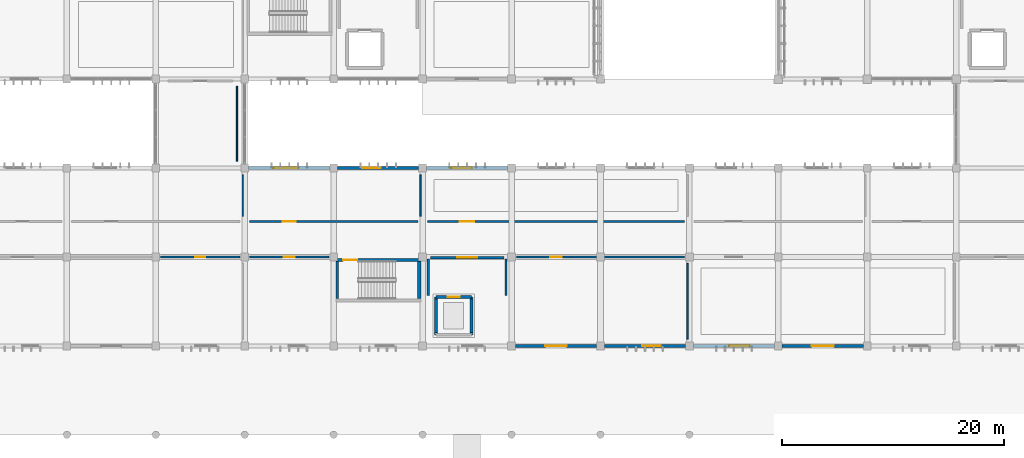
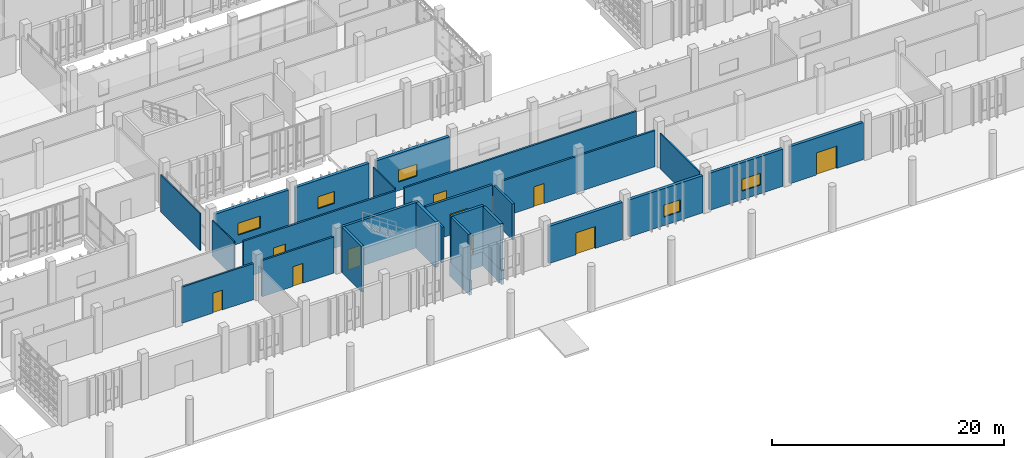
# One storey, part 85 of 117: 28 walls, 10 doors, 5 windows, 15 openings.
"""IFC4 building model written with IfcOpenShell, lengths in metres."""

from ifc_helpers import new_model, si_unit, direction, frame, frame_2d, origin, place, context, subcontext, project, spatial, rectangle, extrude, material, layer, layer_set, type_object, element, fill, save


model = new_model("IFC4")

# Units and contexts
model_context = context("Model", 3, precision=1e-05, world=origin(), true_north=direction((0.0, 1.0)))
body_context = subcontext(model_context, "Body", "Model", "MODEL_VIEW")
ifc_project = project(units=[si_unit("LENGTHUNIT", "METRE"), si_unit("AREAUNIT", "SQUARE_METRE"), si_unit("VOLUMEUNIT", "CUBIC_METRE"), si_unit("PLANEANGLEUNIT", "RADIAN"), si_unit("MASSUNIT", "GRAM", prefix="KILO")], contexts=[model_context])

# Site, building, storey
site_placement = place(None, origin())
site = spatial("IfcSite", under=ifc_project, at=site_placement, CompositionType="ELEMENT")
building_placement = place(site_placement, origin())
building = spatial("IfcBuilding", under=site, at=building_placement, Name="Jelvoka-Kovrelna Polytechnic", CompositionType="ELEMENT")
storey_placement = place(building_placement, origin())
storey = spatial("IfcBuildingStorey", under=building, at=storey_placement, Name="L01", CompositionType="ELEMENT", Elevation=0.0)

# Wall, opening, door
ifc_material_1 = material(Name="Concrete C35/45", Category="concrete")
ifc_layer_1 = layer(ifc_material_1, 0.219970703125)
ifc_layer_set_1 = layer_set([ifc_layer_1], Name="Concrete C35/45")
wall_type_1 = type_object("IfcWallType", Name="Wall_Compartment_220", PredefinedType="PARTITIONING", material=ifc_layer_set_1)
wall_1_placement = place(storey_placement, frame((96.699951171875, 15.949951171875, 0.0), z_axis=(0.0, 0.0, 1.0), x_axis=(1.0, 0.0, 0.0)))
wall_1 = element("IfcWall", 1, at=wall_1_placement, inside=storey, type_object=wall_type_1, Name="L01 interior wall 0524", PredefinedType="PARTITIONING", context=body_context, shape_type="SweptSolid", body=[
    extrude(rectangle(XDim=6.60009765625, YDim=0.219970703125, at=frame_2d((3.300048828125, 0.0))), origin(), (0.0, 0.0, 1.0), 3.81005859375),
])
opening_1_placement = place(wall_1_placement, frame((2.39990234375, 0.0, 0.0)))
opening_1 = element("IfcOpeningElement", 2, at=opening_1_placement, cuts=wall_1, Name="Opening FD-L01-097", PredefinedType="OPENING", context=body_context, shape_type="SweptSolid", body=[
    extrude(rectangle(XDim=1.800048828125, YDim=2.199951171875, at=frame_2d((0.89990234375, 1.10009765625))), frame((0.0, 0.119873046875, 0.0), z_axis=(0.0, -1.0, 0.0), x_axis=(1.0, 0.0, 0.0)), (0.0, 0.0, 1.0), 0.239990234375),
])
ifc_material_2 = material(Name="Paired steel corridor fire door", Category="steel")
door_type_1 = type_object("IfcDoorType", Name="Door_Fire_FD03", OperationType="NOTDEFINED", PredefinedType="DOOR", material=ifc_material_2)
door_1_placement = place(opening_1_placement, origin())
door_1 = element("IfcDoor", 3, at=door_1_placement, inside=storey, type_object=door_type_1, Name="L01 interior door FD-L01-097", OperationType="DOUBLE_DOOR_SINGLE_SWING", OverallHeight=2.199951171875, OverallWidth=1.800048828125, PredefinedType="DOOR", context=body_context, shape_type="SweptSolid", body=[
    extrude(rectangle(XDim=1.800048828125, YDim=2.199951171875, at=frame_2d((0.89990234375, 1.10009765625))), frame((0.0, 0.02490234375, 0.0), z_axis=(0.0, -1.0, 0.0), x_axis=(1.0, 0.0, 0.0)), (0.0, 0.0, 1.0), 0.050048828125),
])
fill(opening_1, door_1)

# Walls
for number, where, z_axis, x_axis, name in (
    (4, (96.5, 12.550048828125, 0.0), (0.0, 0.0, 1.0), (0.0, 1.0, 0.0), "L01 interior wall 0525"),
    (5, (103.5, 12.550048828125, 0.0), (0.0, 0.0, 1.0), (0.0, 1.0, 0.0), "L01 interior wall 0526"),
):
    element("IfcWall", number, at=place(storey_placement, frame(where, z_axis=z_axis, x_axis=x_axis)), inside=storey, type_object=wall_type_1, Name=name, PredefinedType="PARTITIONING", context=body_context, shape_type="SweptSolid", body=[
        extrude(rectangle(XDim=3.25, YDim=0.219970703125, at=frame_2d((1.625, 0.0))), origin(), (0.0, 0.0, 1.0), 3.760009765625),
    ])

# Wall, opening, door
ifc_material_3 = material(Name="Concrete C40/50", Category="concrete")
ifc_layer_2 = layer(ifc_material_3, 0.25)
ifc_layer_set_2 = layer_set([ifc_layer_2], Name="Concrete C40/50")
wall_type_2 = type_object("IfcWallType", Name="Wall_Core_250", PredefinedType="SOLIDWALL", material=ifc_layer_set_2)
wall_2_placement = place(storey_placement, frame((88.199951171875, 15.739990234375, 0.0), z_axis=(0.0, 0.0, 1.0), x_axis=(1.0, 0.0, 0.0)))
wall_2 = element("IfcWall", 6, at=wall_2_placement, inside=storey, type_object=wall_type_2, Name="L01 interior wall 0067", PredefinedType="SOLIDWALL", context=body_context, shape_type="SweptSolid", body=[
    extrude(rectangle(XDim=7.650146484375, YDim=0.25, at=frame_2d((3.8251953125, 0.0))), origin(), (0.0, 0.0, 1.0), 4.800048828125),
])
opening_2_placement = place(wall_2_placement, frame((0.64990234375, 0.0, 0.0)))
opening_2 = element("IfcOpeningElement", 7, at=opening_2_placement, cuts=wall_2, Name="Opening SD-L01-017", PredefinedType="OPENING", context=body_context, shape_type="SweptSolid", body=[
    extrude(rectangle(XDim=1.25, YDim=2.14990234375, at=frame_2d((0.625, 1.074951171875))), frame((0.0, 0.135009765625, 0.0), z_axis=(0.0, -1.0, 0.0), x_axis=(1.0, 0.0, 0.0)), (0.0, 0.0, 1.0), 0.27001953125),
])
ifc_material_4 = material(Name="Powder-coated steel fire door", Category="steel")
door_type_2 = type_object("IfcDoorType", Name="Door_Fire_FD02", OperationType="NOTDEFINED", PredefinedType="DOOR", material=ifc_material_4)
door_2_placement = place(opening_2_placement, origin())
door_2 = element("IfcDoor", 8, at=door_2_placement, inside=storey, type_object=door_type_2, Name="L01 interior door SD-L01-017", OperationType="SINGLE_SWING_LEFT", OverallHeight=2.14990234375, OverallWidth=1.25, PredefinedType="DOOR", context=body_context, shape_type="SweptSolid", body=[
    extrude(rectangle(XDim=1.25, YDim=2.14990234375, at=frame_2d((0.625, 1.074951171875))), frame((0.0, 0.02490234375, 0.0), z_axis=(0.0, -1.0, 0.0), x_axis=(1.0, 0.0, 0.0)), (0.0, 0.0, 1.0), 0.050048828125),
])
fill(opening_2, door_2)

# Walls
wall_3_placement = place(storey_placement, frame((88.324951171875, 12.25, 0.0), z_axis=(0.0, 0.0, 1.0), x_axis=(0.0, 1.0, 0.0)))
element("IfcWall", 9, at=wall_3_placement, inside=storey, type_object=wall_type_2, Name="L01 interior wall 0068", PredefinedType="SOLIDWALL", context=body_context, shape_type="SweptSolid", body=[
    extrude(rectangle(XDim=3.360107421875, YDim=0.25, at=frame_2d((1.68017578125, 0.0))), origin(), (0.0, 0.0, 1.0), 4.800048828125),
])
wall_4_placement = place(storey_placement, frame((100.39990234375, 9.0, -1.5), z_axis=(0.0, 0.0, 1.0), x_axis=(0.0, 1.0, 0.0)))
element("IfcWall", 10, at=wall_4_placement, inside=storey, type_object=wall_type_2, Name="L01 interior wall 0517", PredefinedType="SOLIDWALL", context=body_context, shape_type="SweptSolid", body=[
    extrude(rectangle(XDim=3.39990234375, YDim=0.25, at=frame_2d((1.699951171875, 0.0))), origin(), (0.0, 0.0, 1.0), 1.5),
])
wall_5_placement = place(storey_placement, frame((100.39990234375, 12.39990234375, -1.5), z_axis=(0.0, 0.0, 1.0), x_axis=(-1.0, 0.0, 0.0)))
element("IfcWall", 11, at=wall_5_placement, inside=storey, type_object=wall_type_2, Name="L01 interior wall 0518", PredefinedType="SOLIDWALL", context=body_context, shape_type="SweptSolid", body=[
    extrude(rectangle(XDim=3.199951171875, YDim=0.25, at=frame_2d((1.60009765625, 0.0))), origin(), (0.0, 0.0, 1.0), 1.5),
])
wall_6_placement = place(storey_placement, frame((97.199951171875, 12.39990234375, -1.5), z_axis=(0.0, 0.0, 1.0), x_axis=(0.0, -1.0, 0.0)))
element("IfcWall", 12, at=wall_6_placement, inside=storey, type_object=wall_type_2, Name="L01 interior wall 0519", PredefinedType="SOLIDWALL", context=body_context, shape_type="SweptSolid", body=[
    extrude(rectangle(XDim=3.39990234375, YDim=0.25, at=frame_2d((1.699951171875, 0.0))), origin(), (0.0, 0.0, 1.0), 1.5),
])

# Wall, opening, door
wall_7_placement = place(storey_placement, frame((97.199951171875, 12.39990234375, 0.0), z_axis=(0.0, 0.0, 1.0), x_axis=(1.0, 0.0, 0.0)))
wall_7 = element("IfcWall", 13, at=wall_7_placement, inside=storey, type_object=wall_type_2, Name="L01 interior wall 0521", PredefinedType="SOLIDWALL", context=body_context, shape_type="SweptSolid", body=[
    extrude(rectangle(XDim=3.199951171875, YDim=0.25, at=frame_2d((1.60009765625, 0.0))), origin(), (0.0, 0.0, 1.0), 4.800048828125),
])
opening_3_placement = place(wall_7_placement, frame((1.050048828125, 0.0, 0.0)))
opening_3 = element("IfcOpeningElement", 14, at=opening_3_placement, cuts=wall_7, Name="Opening LD-L01-34", PredefinedType="OPENING", context=body_context, shape_type="SweptSolid", body=[
    extrude(rectangle(XDim=1.10009765625, YDim=2.14990234375, at=frame_2d((0.550048828125, 1.074951171875))), frame((0.0, 0.135009765625, 0.0), z_axis=(0.0, -1.0, 0.0), x_axis=(1.0, 0.0, 0.0)), (0.0, 0.0, 1.0), 0.27001953125),
])
ifc_material_5 = material(Name="Brushed stainless steel sliding landing door", Category="steel")
door_type_3 = type_object("IfcDoorType", Name="Door_Lift_LD01", OperationType="NOTDEFINED", PredefinedType="DOOR", material=ifc_material_5)
door_3_placement = place(opening_3_placement, origin())
door_3 = element("IfcDoor", 15, at=door_3_placement, inside=storey, type_object=door_type_3, Name="L01 lift landing sliding door LD-L01-34", OperationType="DOUBLE_DOOR_SLIDING", OverallHeight=2.14990234375, OverallWidth=1.10009765625, PredefinedType="DOOR", context=body_context, shape_type="SweptSolid", body=[
    extrude(rectangle(XDim=1.10009765625, YDim=2.14990234375, at=frame_2d((0.550048828125, 1.074951171875))), frame((0.0, 0.02490234375, 0.0), z_axis=(0.0, -1.0, 0.0), x_axis=(1.0, 0.0, 0.0)), (0.0, 0.0, 1.0), 0.050048828125),
])
fill(opening_3, door_3)

# Walls
for number, where, z_axis, x_axis, name in (
    (16, (97.199951171875, 9.199951171875, 0.0), (0.0, 0.0, 1.0), (0.0, 1.0, 0.0), "L01 interior wall 0522"),
    (17, (100.39990234375, 9.199951171875, 0.0), (0.0, 0.0, 1.0), (0.0, 1.0, 0.0), "L01 interior wall 0523"),
):
    element("IfcWall", number, at=place(storey_placement, frame(where, z_axis=z_axis, x_axis=x_axis)), inside=storey, type_object=wall_type_2, Name=name, PredefinedType="SOLIDWALL", context=body_context, shape_type="SweptSolid", body=[
        extrude(rectangle(XDim=3.0, YDim=0.25, at=frame_2d((1.5, 0.0))), origin(), (0.0, 0.0, 1.0), 4.800048828125),
    ])

# Wall, opening, door
ifc_material_6 = material(Name="Autoclaved aerated concrete blockwork", Category="masonry")
ifc_layer_3 = layer(ifc_material_6, 0.179931640625)
ifc_layer_set_3 = layer_set([ifc_layer_3], Name="Autoclaved aerated concrete blockwork")
wall_type_3 = type_object("IfcWallType", Name="Wall_Corridor_180", PredefinedType="PARTITIONING", material=ifc_layer_set_3)
wall_8_placement = place(storey_placement, frame((72.429931640625, 16.0, 0.0), z_axis=(0.0, 0.0, 1.0), x_axis=(1.0, 0.0, 0.0)))
wall_8 = element("IfcWall", 18, at=wall_8_placement, inside=storey, type_object=wall_type_3, Name="L01 interior wall 0851", PredefinedType="PARTITIONING", context=body_context, shape_type="SweptSolid", body=[
    extrude(rectangle(XDim=7.14013671875, YDim=0.179931640625, at=frame_2d((3.570068359375, 0.0))), origin(), (0.0, 0.0, 1.0), 3.81005859375),
])
opening_4_placement = place(wall_8_placement, frame((3.1201171875, 0.0, 0.0)))
opening_4 = element("IfcOpeningElement", 19, at=opening_4_placement, cuts=wall_8, Name="Opening D-L01-155", PredefinedType="OPENING", context=body_context, shape_type="SweptSolid", body=[
    extrude(rectangle(XDim=0.89990234375, YDim=2.10009765625, at=frame_2d((0.449951171875, 1.050048828125))), frame((0.0, 0.099853515625, 0.0), z_axis=(0.0, -1.0, 0.0), x_axis=(1.0, 0.0, 0.0)), (0.0, 0.0, 1.0), 0.199951171875),
])
ifc_material_7 = material(Name="Hardwood solid-core door", Category="wood")
door_type_4 = type_object("IfcDoorType", Name="Door_Int_D01", OperationType="NOTDEFINED", PredefinedType="DOOR", material=ifc_material_7)
door_4_placement = place(opening_4_placement, origin())
door_4 = element("IfcDoor", 20, at=door_4_placement, inside=storey, type_object=door_type_4, Name="L01 interior door D-L01-155", OperationType="SINGLE_SWING_LEFT", OverallHeight=2.10009765625, OverallWidth=0.89990234375, PredefinedType="DOOR", context=body_context, shape_type="SweptSolid", body=[
    extrude(rectangle(XDim=0.89990234375, YDim=2.10009765625, at=frame_2d((0.449951171875, 1.050048828125))), frame((0.0, 0.02490234375, 0.0), z_axis=(0.0, -1.0, 0.0), x_axis=(1.0, 0.0, 0.0)), (0.0, 0.0, 1.0), 0.050048828125),
])
fill(opening_4, door_4)

wall_9_placement = place(storey_placement, frame((80.429931640625, 16.0, 0.0), z_axis=(0.0, 0.0, 1.0), x_axis=(1.0, 0.0, 0.0)))
wall_9 = element("IfcWall", 21, at=wall_9_placement, inside=storey, type_object=wall_type_3, Name="L01 interior wall 0853", PredefinedType="PARTITIONING", context=body_context, shape_type="SweptSolid", body=[
    extrude(rectangle(XDim=7.14013671875, YDim=0.179931640625, at=frame_2d((3.570068359375, 0.0))), origin(), (0.0, 0.0, 1.0), 3.81005859375),
])
opening_5_placement = place(wall_9_placement, frame((3.080078125, 0.0, 0.0)))
opening_5 = element("IfcOpeningElement", 22, at=opening_5_placement, cuts=wall_9, Name="Opening D-L01-156", PredefinedType="OPENING", context=body_context, shape_type="SweptSolid", body=[
    extrude(rectangle(XDim=0.97998046875, YDim=2.10009765625, at=frame_2d((0.489990234375, 1.050048828125))), frame((0.0, 0.099853515625, 0.0), z_axis=(0.0, -1.0, 0.0), x_axis=(1.0, 0.0, 0.0)), (0.0, 0.0, 1.0), 0.199951171875),
])
ifc_material_8 = material(Name="Hardwood solid-core door", Category="wood")
door_type_5 = type_object("IfcDoorType", Name="Door_Int_D03", OperationType="NOTDEFINED", PredefinedType="DOOR", material=ifc_material_8)
door_5_placement = place(opening_5_placement, origin())
door_5 = element("IfcDoor", 23, at=door_5_placement, inside=storey, type_object=door_type_5, Name="L01 interior door D-L01-156", OperationType="SINGLE_SWING_RIGHT", OverallHeight=2.10009765625, OverallWidth=0.97998046875, PredefinedType="DOOR", context=body_context, shape_type="SweptSolid", body=[
    extrude(rectangle(XDim=0.97998046875, YDim=2.10009765625, at=frame_2d((0.489990234375, 1.050048828125))), frame((0.0, 0.02490234375, 0.0), z_axis=(0.0, -1.0, 0.0), x_axis=(1.0, 0.0, 0.0)), (0.0, 0.0, 1.0), 0.050048828125),
])
fill(opening_5, door_5)

wall_10_placement = place(storey_placement, frame((104.429931640625, 16.0, 0.0), z_axis=(0.0, 0.0, 1.0), x_axis=(1.0, 0.0, 0.0)))
wall_10 = element("IfcWall", 24, at=wall_10_placement, inside=storey, type_object=wall_type_3, Name="L01 interior wall 0854", PredefinedType="PARTITIONING", context=body_context, shape_type="SweptSolid", body=[
    extrude(rectangle(XDim=15.14013671875, YDim=0.179931640625, at=frame_2d((7.570068359375, 0.0))), origin(), (0.0, 0.0, 1.0), 3.81005859375),
])
opening_6_placement = place(wall_10_placement, frame((3.06005859375, 0.0, 0.0)))
opening_6 = element("IfcOpeningElement", 25, at=opening_6_placement, cuts=wall_10, Name="Opening D-L01-157", PredefinedType="OPENING", context=body_context, shape_type="SweptSolid", body=[
    extrude(rectangle(XDim=1.02001953125, YDim=2.10009765625, at=frame_2d((0.510009765625, 1.050048828125))), frame((0.0, 0.099853515625, 0.0), z_axis=(0.0, -1.0, 0.0), x_axis=(1.0, 0.0, 0.0)), (0.0, 0.0, 1.0), 0.199951171875),
])
ifc_material_9 = material(Name="Hardwood solid-core door", Category="wood")
door_type_6 = type_object("IfcDoorType", Name="Door_Int_D04", OperationType="NOTDEFINED", PredefinedType="DOOR", material=ifc_material_9)
door_6_placement = place(opening_6_placement, origin())
door_6 = element("IfcDoor", 26, at=door_6_placement, inside=storey, type_object=door_type_6, Name="L01 interior door D-L01-157", OperationType="SINGLE_SWING_LEFT", OverallHeight=2.10009765625, OverallWidth=1.02001953125, PredefinedType="DOOR", context=body_context, shape_type="SweptSolid", body=[
    extrude(rectangle(XDim=1.02001953125, YDim=2.10009765625, at=frame_2d((0.510009765625, 1.050048828125))), frame((0.0, 0.02490234375, 0.0), z_axis=(0.0, -1.0, 0.0), x_axis=(1.0, 0.0, 0.0)), (0.0, 0.0, 1.0), 0.050048828125),
])
fill(opening_6, door_6)

wall_11_placement = place(storey_placement, frame((80.429931640625, 19.199951171875, 0.0), z_axis=(0.0, 0.0, 1.0), x_axis=(1.0, 0.0, 0.0)))
wall_11 = element("IfcWall", 27, at=wall_11_placement, inside=storey, type_object=wall_type_3, Name="L01 interior wall 0862", PredefinedType="PARTITIONING", context=body_context, shape_type="SweptSolid", body=[
    extrude(rectangle(XDim=15.14013671875, YDim=0.179931640625, at=frame_2d((7.570068359375, 0.0))), origin(), (0.0, 0.0, 1.0), 3.89990234375),
])
opening_7_placement = place(wall_11_placement, frame((2.969970703125, 0.0, 0.0)))
opening_7 = element("IfcOpeningElement", 28, at=opening_7_placement, cuts=wall_11, Name="Opening D-L01-162", PredefinedType="OPENING", context=body_context, shape_type="SweptSolid", body=[
    extrude(rectangle(XDim=1.199951171875, YDim=2.14990234375, at=frame_2d((0.60009765625, 1.074951171875))), frame((0.0, 0.099853515625, 0.0), z_axis=(0.0, -1.0, 0.0), x_axis=(1.0, 0.0, 0.0)), (0.0, 0.0, 1.0), 0.199951171875),
])
ifc_material_10 = material(Name="Laboratory vision-panel door", Category="wood")
door_type_7 = type_object("IfcDoorType", Name="Door_Int_D12", OperationType="NOTDEFINED", PredefinedType="DOOR", material=ifc_material_10)
door_7_placement = place(opening_7_placement, origin())
door_7 = element("IfcDoor", 29, at=door_7_placement, inside=storey, type_object=door_type_7, Name="L01 interior door D-L01-162", OperationType="SINGLE_SWING_LEFT", OverallHeight=2.14990234375, OverallWidth=1.199951171875, PredefinedType="DOOR", context=body_context, shape_type="SweptSolid", body=[
    extrude(rectangle(XDim=1.199951171875, YDim=2.14990234375, at=frame_2d((0.60009765625, 1.074951171875))), frame((0.0, 0.02490234375, 0.0), z_axis=(0.0, -1.0, 0.0), x_axis=(1.0, 0.0, 0.0)), (0.0, 0.0, 1.0), 0.050048828125),
])
fill(opening_7, door_7)

wall_12_placement = place(storey_placement, frame((96.429931640625, 19.199951171875, 0.0), z_axis=(0.0, 0.0, 1.0), x_axis=(1.0, 0.0, 0.0)))
wall_12 = element("IfcWall", 30, at=wall_12_placement, inside=storey, type_object=wall_type_3, Name="L01 interior wall 0864", PredefinedType="PARTITIONING", context=body_context, shape_type="SweptSolid", body=[
    extrude(rectangle(XDim=23.14013671875, YDim=0.179931640625, at=frame_2d((11.570068359375, 0.0))), origin(), (0.0, 0.0, 1.0), 3.89990234375),
])
opening_8_placement = place(wall_12_placement, frame((2.919921875, 0.0, 0.0)))
opening_8 = element("IfcOpeningElement", 31, at=opening_8_placement, cuts=wall_12, Name="Opening D-L01-163", PredefinedType="OPENING", context=body_context, shape_type="SweptSolid", body=[
    extrude(rectangle(XDim=1.300048828125, YDim=2.179931640625, at=frame_2d((0.64990234375, 1.08984375))), frame((0.0, 0.099853515625, 0.0), z_axis=(0.0, -1.0, 0.0), x_axis=(1.0, 0.0, 0.0)), (0.0, 0.0, 1.0), 0.199951171875),
])
ifc_material_11 = material(Name="Hardwood fire-resisting reading hall door", Category="wood")
door_type_8 = type_object("IfcDoorType", Name="Door_Fire_FD30_05", OperationType="NOTDEFINED", PredefinedType="DOOR", material=ifc_material_11)
door_8_placement = place(opening_8_placement, origin())
door_8 = element("IfcDoor", 32, at=door_8_placement, inside=storey, type_object=door_type_8, Name="L01 interior door D-L01-163", OperationType="SINGLE_SWING_RIGHT", OverallHeight=2.179931640625, OverallWidth=1.300048828125, PredefinedType="DOOR", context=body_context, shape_type="SweptSolid", body=[
    extrude(rectangle(XDim=1.300048828125, YDim=2.179931640625, at=frame_2d((0.64990234375, 1.08984375))), frame((0.0, 0.02490234375, 0.0), z_axis=(0.0, -1.0, 0.0), x_axis=(1.0, 0.0, 0.0)), (0.0, 0.0, 1.0), 0.050048828125),
])
fill(opening_8, door_8)

# Wall, opening, window
ifc_material_12 = material(Name="Precast concrete C40/50", Category="concrete")
ifc_layer_4 = layer(ifc_material_12, 0.300048828125)
ifc_layer_set_4 = layer_set([ifc_layer_4], Name="Precast concrete C40/50")
wall_type_4 = type_object("IfcWallType", Name="Wall_Ext_White_300", PredefinedType="STANDARD", material=ifc_layer_set_4)
wall_13_placement = place(storey_placement, frame((80.346923828125, 24.0, 0.0), z_axis=(0.0, 0.0, 1.0), x_axis=(1.0, 0.0, 0.0)))
wall_13 = element("IfcWall", 33, at=wall_13_placement, inside=storey, type_object=wall_type_4, Name="L01 exterior wall 0236", PredefinedType="STANDARD", context=body_context, shape_type="SweptSolid", body=[
    extrude(rectangle(XDim=7.30615234375, YDim=0.300048828125, at=frame_2d((3.653076171875, 0.0))), origin(), (0.0, 0.0, 1.0), 3.909912109375),
])
opening_9_placement = place(wall_13_placement, frame((2.23291015625, 0.0, 0.89990234375)))
opening_9 = element("IfcOpeningElement", 34, at=opening_9_placement, cuts=wall_13, Name="Opening W-L01-006", PredefinedType="OPENING", context=body_context, shape_type="SweptSolid", body=[
    extrude(rectangle(XDim=2.25, YDim=1.25, at=frame_2d((1.125, 0.625))), frame((0.0, 0.159912109375, 0.0), z_axis=(0.0, -1.0, 0.0), x_axis=(1.0, 0.0, 0.0)), (0.0, 0.0, 1.0), 0.320068359375),
])
ifc_material_13 = material(Name="Thermally broken anodised aluminium and low-e glazing", Category="aluminium")
window_type_1 = type_object("IfcWindowType", Name="Win_Casement_W07", PartitioningType="DOUBLE_PANEL_VERTICAL", PredefinedType="WINDOW", material=ifc_material_13)
window_1_placement = place(opening_9_placement, origin())
window_1 = element("IfcWindow", 35, at=window_1_placement, inside=storey, type_object=window_type_1, Name="L01 aluminium casement window W-L01-006", OverallHeight=1.25, OverallWidth=2.25, PartitioningType="DOUBLE_PANEL_VERTICAL", PredefinedType="WINDOW", context=body_context, shape_type="SweptSolid", body=[
    extrude(rectangle(XDim=2.25, YDim=1.25, at=frame_2d((1.125, 0.625))), frame((0.0, 0.030029296875, 0.0), z_axis=(0.0, -1.0, 0.0), x_axis=(1.0, 0.0, 0.0)), (0.0, 0.0, 1.0), 0.06005859375),
])
fill(opening_9, window_1)

wall_14_placement = place(storey_placement, frame((88.346923828125, 24.0, 0.0), z_axis=(0.0, 0.0, 1.0), x_axis=(1.0, 0.0, 0.0)))
wall_14 = element("IfcWall", 36, at=wall_14_placement, inside=storey, type_object=wall_type_4, Name="L01 exterior wall 0238", PredefinedType="STANDARD", context=body_context, shape_type="SweptSolid", body=[
    extrude(rectangle(XDim=7.30615234375, YDim=0.300048828125, at=frame_2d((3.653076171875, 0.0))), origin(), (0.0, 0.0, 1.0), 3.909912109375),
])
opening_10_placement = place(wall_14_placement, frame((2.23291015625, 0.0, 0.89990234375)))
opening_10 = element("IfcOpeningElement", 37, at=opening_10_placement, cuts=wall_14, Name="Opening W-L01-008", PredefinedType="OPENING", context=body_context, shape_type="SweptSolid", body=[
    extrude(rectangle(XDim=1.64990234375, YDim=1.25, at=frame_2d((0.824951171875, 0.625))), frame((0.0, 0.159912109375, 0.0), z_axis=(0.0, -1.0, 0.0), x_axis=(1.0, 0.0, 0.0)), (0.0, 0.0, 1.0), 0.320068359375),
])
ifc_material_14 = material(Name="Thermally broken anodised aluminium and low-e glazing", Category="aluminium")
window_type_2 = type_object("IfcWindowType", Name="Win_Casement_W04", PartitioningType="DOUBLE_PANEL_VERTICAL", PredefinedType="WINDOW", material=ifc_material_14)
window_2_placement = place(opening_10_placement, origin())
window_2 = element("IfcWindow", 38, at=window_2_placement, inside=storey, type_object=window_type_2, Name="L01 aluminium casement window W-L01-008", OverallHeight=1.25, OverallWidth=1.64990234375, PartitioningType="DOUBLE_PANEL_VERTICAL", PredefinedType="WINDOW", context=body_context, shape_type="SweptSolid", body=[
    extrude(rectangle(XDim=1.64990234375, YDim=1.25, at=frame_2d((0.824951171875, 0.625))), frame((0.0, 0.030029296875, 0.0), z_axis=(0.0, -1.0, 0.0), x_axis=(1.0, 0.0, 0.0)), (0.0, 0.0, 1.0), 0.06005859375),
])
fill(opening_10, window_2)

wall_15_placement = place(storey_placement, frame((96.346923828125, 24.0, 0.0), z_axis=(0.0, 0.0, 1.0), x_axis=(1.0, 0.0, 0.0)))
wall_15 = element("IfcWall", 39, at=wall_15_placement, inside=storey, type_object=wall_type_4, Name="L01 exterior wall 0240", PredefinedType="STANDARD", context=body_context, shape_type="SweptSolid", body=[
    extrude(rectangle(XDim=7.30615234375, YDim=0.300048828125, at=frame_2d((3.653076171875, 0.0))), origin(), (0.0, 0.0, 1.0), 3.909912109375),
])
opening_11_placement = place(wall_15_placement, frame((2.23291015625, 0.0, 0.89990234375)))
opening_11 = element("IfcOpeningElement", 40, at=opening_11_placement, cuts=wall_15, Name="Opening W-L01-010", PredefinedType="OPENING", context=body_context, shape_type="SweptSolid", body=[
    extrude(rectangle(XDim=1.85009765625, YDim=1.25, at=frame_2d((0.925048828125, 0.625))), frame((0.0, 0.159912109375, 0.0), z_axis=(0.0, -1.0, 0.0), x_axis=(1.0, 0.0, 0.0)), (0.0, 0.0, 1.0), 0.320068359375),
])
ifc_material_15 = material(Name="Thermally broken anodised aluminium and low-e glazing", Category="aluminium")
window_type_3 = type_object("IfcWindowType", Name="Win_Casement_W05", PartitioningType="DOUBLE_PANEL_VERTICAL", PredefinedType="WINDOW", material=ifc_material_15)
window_3_placement = place(opening_11_placement, origin())
window_3 = element("IfcWindow", 41, at=window_3_placement, inside=storey, type_object=window_type_3, Name="L01 aluminium casement window W-L01-010", OverallHeight=1.25, OverallWidth=1.85009765625, PartitioningType="DOUBLE_PANEL_VERTICAL", PredefinedType="WINDOW", context=body_context, shape_type="SweptSolid", body=[
    extrude(rectangle(XDim=1.85009765625, YDim=1.25, at=frame_2d((0.925048828125, 0.625))), frame((0.0, 0.030029296875, 0.0), z_axis=(0.0, -1.0, 0.0), x_axis=(1.0, 0.0, 0.0)), (0.0, 0.0, 1.0), 0.06005859375),
])
fill(opening_11, window_3)

# Wall, opening, door
wall_16_placement = place(storey_placement, frame((111.653076171875, 8.0, 0.0), z_axis=(0.0, 0.0, 1.0), x_axis=(-1.0, 0.0, 0.0)))
wall_16 = element("IfcWall", 42, at=wall_16_placement, inside=storey, type_object=wall_type_4, Name="L01 exterior wall 0241", PredefinedType="STANDARD", context=body_context, shape_type="SweptSolid", body=[
    extrude(rectangle(XDim=7.30615234375, YDim=0.300048828125, at=frame_2d((3.653076171875, 0.0))), origin(), (0.0, 0.0, 1.0), 3.909912109375),
])
opening_12_placement = place(wall_16_placement, frame((2.702880859375, 0.0, 0.0)))
opening_12 = element("IfcOpeningElement", 43, at=opening_12_placement, cuts=wall_16, Name="Opening E-L01-002", PredefinedType="OPENING", context=body_context, shape_type="SweptSolid", body=[
    extrude(rectangle(XDim=1.89990234375, YDim=2.300048828125, at=frame_2d((0.949951171875, 1.14990234375))), frame((0.0, 0.159912109375, 0.0), z_axis=(0.0, -1.0, 0.0), x_axis=(1.0, 0.0, 0.0)), (0.0, 0.0, 1.0), 0.320068359375),
])
ifc_material_16 = material(Name="Powder-coated aluminium and laminated safety glass", Category="aluminium")
door_type_9 = type_object("IfcDoorType", Name="Door_Ext_Exit_1900x2300", OperationType="NOTDEFINED", PredefinedType="DOOR", material=ifc_material_16)
door_9_placement = place(opening_12_placement, origin())
door_9 = element("IfcDoor", 44, at=door_9_placement, inside=storey, type_object=door_type_9, Name="L01 exterior door E-L01-002", OperationType="DOUBLE_DOOR_SINGLE_SWING", OverallHeight=2.300048828125, OverallWidth=1.89990234375, PredefinedType="DOOR", context=body_context, shape_type="SweptSolid", body=[
    extrude(rectangle(XDim=1.89990234375, YDim=2.300048828125, at=frame_2d((0.949951171875, 1.14990234375))), frame((0.0, 0.02490234375, 0.0), z_axis=(0.0, -1.0, 0.0), x_axis=(1.0, 0.0, 0.0)), (0.0, 0.0, 1.0), 0.050048828125),
])
fill(opening_12, door_9)

# Wall, opening, window
wall_17_placement = place(storey_placement, frame((119.653076171875, 8.0, 0.0), z_axis=(0.0, 0.0, 1.0), x_axis=(-1.0, 0.0, 0.0)))
wall_17 = element("IfcWall", 45, at=wall_17_placement, inside=storey, type_object=wall_type_4, Name="L01 exterior wall 0243", PredefinedType="STANDARD", context=body_context, shape_type="SweptSolid", body=[
    extrude(rectangle(XDim=7.30615234375, YDim=0.300048828125, at=frame_2d((3.653076171875, 0.0))), origin(), (0.0, 0.0, 1.0), 3.909912109375),
])
opening_13_placement = place(wall_17_placement, frame((2.23291015625, 0.0, 0.89990234375)))
opening_13 = element("IfcOpeningElement", 46, at=opening_13_placement, cuts=wall_17, Name="Opening W-L01-012", PredefinedType="OPENING", context=body_context, shape_type="SweptSolid", body=[
    extrude(rectangle(XDim=1.64990234375, YDim=1.25, at=frame_2d((0.824951171875, 0.625))), frame((0.0, 0.159912109375, 0.0), z_axis=(0.0, -1.0, 0.0), x_axis=(1.0, 0.0, 0.0)), (0.0, 0.0, 1.0), 0.320068359375),
])
window_4_placement = place(opening_13_placement, origin())
window_4 = element("IfcWindow", 47, at=window_4_placement, inside=storey, type_object=window_type_2, Name="L01 aluminium casement window W-L01-012", OverallHeight=1.25, OverallWidth=1.64990234375, PartitioningType="DOUBLE_PANEL_VERTICAL", PredefinedType="WINDOW", context=body_context, shape_type="SweptSolid", body=[
    extrude(rectangle(XDim=1.64990234375, YDim=1.25, at=frame_2d((0.824951171875, 0.625))), frame((0.0, 0.030029296875, 0.0), z_axis=(0.0, -1.0, 0.0), x_axis=(1.0, 0.0, 0.0)), (0.0, 0.0, 1.0), 0.06005859375),
])
fill(opening_13, window_4)

wall_18_placement = place(storey_placement, frame((127.653076171875, 8.0, 0.0), z_axis=(0.0, 0.0, 1.0), x_axis=(-1.0, 0.0, 0.0)))
wall_18 = element("IfcWall", 48, at=wall_18_placement, inside=storey, type_object=wall_type_4, Name="L01 exterior wall 0245", PredefinedType="STANDARD", context=body_context, shape_type="SweptSolid", body=[
    extrude(rectangle(XDim=7.30615234375, YDim=0.300048828125, at=frame_2d((3.653076171875, 0.0))), origin(), (0.0, 0.0, 1.0), 3.909912109375),
])
opening_14_placement = place(wall_18_placement, frame((2.23291015625, 0.0, 0.89990234375)))
opening_14 = element("IfcOpeningElement", 49, at=opening_14_placement, cuts=wall_18, Name="Opening W-L01-014", PredefinedType="OPENING", context=body_context, shape_type="SweptSolid", body=[
    extrude(rectangle(XDim=1.85009765625, YDim=1.25, at=frame_2d((0.925048828125, 0.625))), frame((0.0, 0.159912109375, 0.0), z_axis=(0.0, -1.0, 0.0), x_axis=(1.0, 0.0, 0.0)), (0.0, 0.0, 1.0), 0.320068359375),
])
window_5_placement = place(opening_14_placement, origin())
window_5 = element("IfcWindow", 50, at=window_5_placement, inside=storey, type_object=window_type_3, Name="L01 aluminium casement window W-L01-014", OverallHeight=1.25, OverallWidth=1.85009765625, PartitioningType="DOUBLE_PANEL_VERTICAL", PredefinedType="WINDOW", context=body_context, shape_type="SweptSolid", body=[
    extrude(rectangle(XDim=1.85009765625, YDim=1.25, at=frame_2d((0.925048828125, 0.625))), frame((0.0, 0.030029296875, 0.0), z_axis=(0.0, -1.0, 0.0), x_axis=(1.0, 0.0, 0.0)), (0.0, 0.0, 1.0), 0.06005859375),
])
fill(opening_14, window_5)

# Wall, opening, door
wall_19_placement = place(storey_placement, frame((135.653076171875, 8.0, 0.0), z_axis=(0.0, 0.0, 1.0), x_axis=(-1.0, 0.0, 0.0)))
wall_19 = element("IfcWall", 51, at=wall_19_placement, inside=storey, type_object=wall_type_4, Name="L01 exterior wall 0247", PredefinedType="STANDARD", context=body_context, shape_type="SweptSolid", body=[
    extrude(rectangle(XDim=7.30615234375, YDim=0.300048828125, at=frame_2d((3.653076171875, 0.0))), origin(), (0.0, 0.0, 1.0), 3.909912109375),
])
opening_15_placement = place(wall_19_placement, frame((2.653076171875, 0.0, 0.0)))
opening_15 = element("IfcOpeningElement", 52, at=opening_15_placement, cuts=wall_19, Name="Opening E-L01-003", PredefinedType="OPENING", context=body_context, shape_type="SweptSolid", body=[
    extrude(rectangle(XDim=2.0, YDim=2.35009765625, at=frame_2d((1.0, 1.175048828125))), frame((0.0, 0.159912109375, 0.0), z_axis=(0.0, -1.0, 0.0), x_axis=(1.0, 0.0, 0.0)), (0.0, 0.0, 1.0), 0.320068359375),
])
ifc_material_17 = material(Name="Powder-coated aluminium and laminated safety glass", Category="aluminium")
door_type_10 = type_object("IfcDoorType", Name="Door_Ext_Exit_2000x2350", OperationType="NOTDEFINED", PredefinedType="DOOR", material=ifc_material_17)
door_10_placement = place(opening_15_placement, origin())
door_10 = element("IfcDoor", 53, at=door_10_placement, inside=storey, type_object=door_type_10, Name="L01 exterior door E-L01-003", OperationType="DOUBLE_DOOR_SINGLE_SWING", OverallHeight=2.35009765625, OverallWidth=2.0, PredefinedType="DOOR", context=body_context, shape_type="SweptSolid", body=[
    extrude(rectangle(XDim=2.0, YDim=2.35009765625, at=frame_2d((1.0, 1.175048828125))), frame((0.0, 0.02490234375, 0.0), z_axis=(0.0, -1.0, 0.0), x_axis=(1.0, 0.0, 0.0)), (0.0, 0.0, 1.0), 0.050048828125),
])
fill(opening_15, door_10)

# Walls
ifc_material_18 = material(Name="Acoustic operable timber-aluminium panel", Category="wood")
ifc_layer_5 = layer(ifc_material_18, 0.110107421875)
ifc_layer_set_5 = layer_set([ifc_layer_5], Name="Acoustic operable timber-aluminium panel")
wall_type_5 = type_object("IfcWallType", Name="Wall_Movable_110", PredefinedType="MOVABLE", material=ifc_layer_set_5)
wall_20_placement = place(storey_placement, frame((79.820068359375, 19.669921875, 0.0), z_axis=(0.0, 0.0, 1.0), x_axis=(0.0, 1.0, 0.0)))
element("IfcWall", 54, at=wall_20_placement, inside=storey, type_object=wall_type_5, Name="L01 interior wall 0861", PredefinedType="MOVABLE", context=body_context, shape_type="SweptSolid", body=[
    extrude(rectangle(XDim=3.7099609375, YDim=0.110107421875, at=frame_2d((1.85498046875, 0.0))), origin(), (0.0, 0.0, 1.0), 3.760009765625),
])
ifc_material_19 = material(Name="Acoustic gypsum stud partition")
ifc_layer_6 = layer(ifc_material_19, 0.125)
ifc_layer_set_6 = layer_set([ifc_layer_6], Name="Acoustic gypsum stud partition")
wall_type_6 = type_object("IfcWallType", Name="Wall_Partition_125", PredefinedType="PARTITIONING", material=ifc_layer_set_6)
wall_21_placement = place(storey_placement, frame((119.820068359375, 8.6201171875, 0.0), z_axis=(0.0, 0.0, 1.0), x_axis=(0.0, 1.0, 0.0)))
element("IfcWall", 55, at=wall_21_placement, inside=storey, type_object=wall_type_6, Name="L01 interior wall 0855", PredefinedType="PARTITIONING", context=body_context, shape_type="SweptSolid", body=[
    extrude(rectangle(XDim=6.809814453125, YDim=0.125, at=frame_2d((3.40478515625, 0.0))), origin(), (0.0, 0.0, 1.0), 3.760009765625),
])
wall_22_placement = place(storey_placement, frame((95.820068359375, 19.669921875, 0.0), z_axis=(0.0, 0.0, 1.0), x_axis=(0.0, 1.0, 0.0)))
element("IfcWall", 56, at=wall_22_placement, inside=storey, type_object=wall_type_6, Name="L01 interior wall 0863", PredefinedType="PARTITIONING", context=body_context, shape_type="SweptSolid", body=[
    extrude(rectangle(XDim=3.7099609375, YDim=0.125, at=frame_2d((1.85498046875, 0.0))), origin(), (0.0, 0.0, 1.0), 3.760009765625),
])
wall_23_placement = place(storey_placement, frame((79.300048828125, 24.6201171875, 0.0), z_axis=(0.0, 0.0, 1.0), x_axis=(0.0, 1.0, 0.0)))
element("IfcWall", 57, at=wall_23_placement, inside=storey, type_object=wall_type_6, Name="L01 interior wall 0902", PredefinedType="PARTITIONING", context=body_context, shape_type="SweptSolid", body=[
    extrude(rectangle(XDim=6.759765625, YDim=0.125, at=frame_2d((3.3798828125, 0.0))), origin(), (0.0, 0.0, 1.0), 3.89990234375),
])
ifc_material_20 = material(Name="Concrete C40/50", Category="concrete")
ifc_layer_7 = layer(ifc_material_20, 0.300048828125)
ifc_layer_set_7 = layer_set([ifc_layer_7], Name="Concrete C40/50")
wall_type_7 = type_object("IfcWallType", Name="Wall_Shear_300", PredefinedType="SHEAR", material=ifc_layer_set_7)
wall_24_placement = place(storey_placement, frame((95.7099609375, 12.25, 0.0), z_axis=(0.0, 0.0, 1.0), x_axis=(0.0, 1.0, 0.0)))
element("IfcWall", 58, at=wall_24_placement, inside=storey, type_object=wall_type_7, Name="L01 interior wall 0066", PredefinedType="SHEAR", context=body_context, shape_type="SweptSolid", body=[
    extrude(rectangle(XDim=3.360107421875, YDim=0.300048828125, at=frame_2d((1.68017578125, 0.0))), origin(), (0.0, 0.0, 1.0), 4.800048828125),
])

save(model, "model.ifc")
